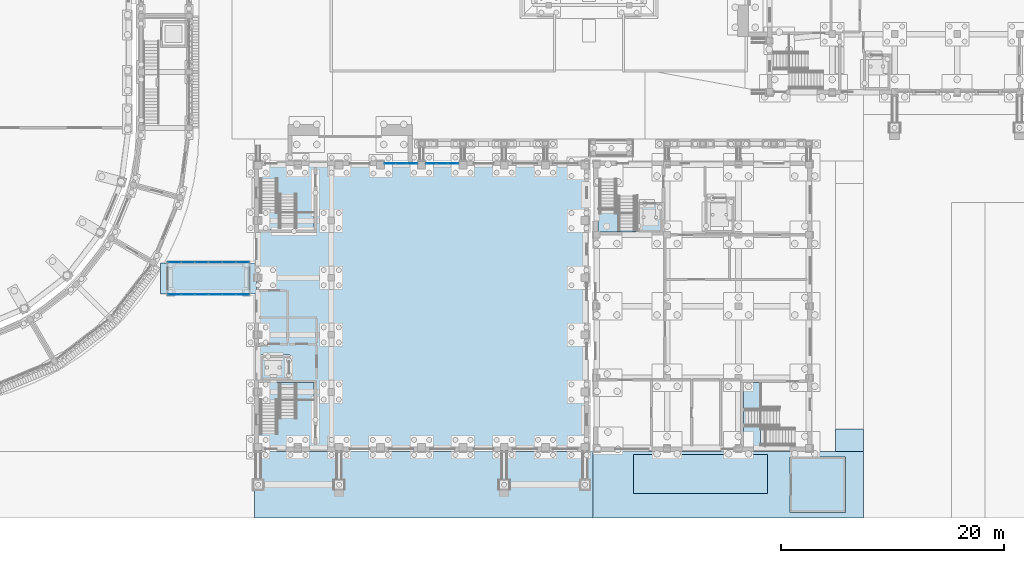
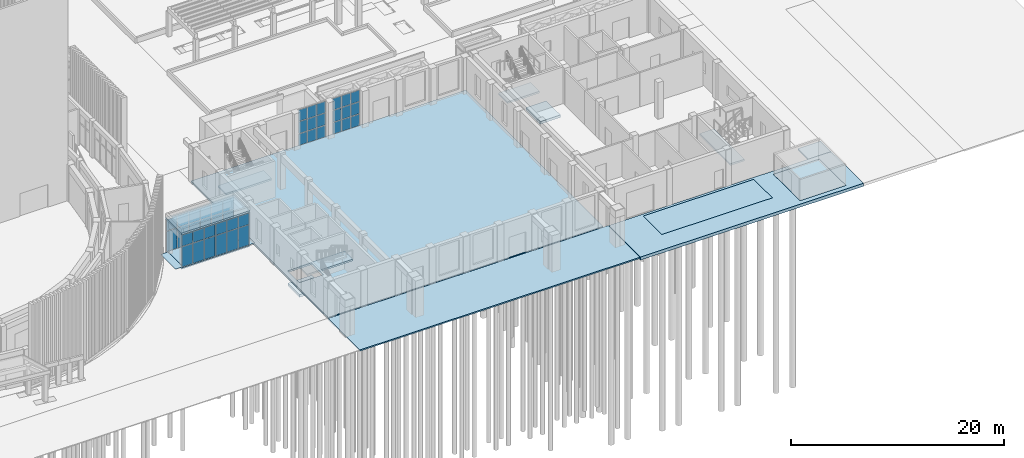
# One storey, part 50 of 112: 44 plates, 14 slabs, 8 elements without a shape of their own.
"""IFC4 building model written with IfcOpenShell, lengths in metres."""

from ifc_helpers import new_model, si_unit, direction, frame, origin, origin_2d, place, context, subcontext, project, spatial, polyline, rectangle, outline, extrude, material, layer, layer_set, type_object, element, aggregate, save


model = new_model("IFC4")

# Units and contexts
model_context = context("Model", 3, precision=1e-05, world=origin(), true_north=direction((0.0, 1.0)))
body_context = subcontext(model_context, "Body", "Model", "MODEL_VIEW")
ifc_project = project(units=[si_unit("LENGTHUNIT", "METRE"), si_unit("AREAUNIT", "SQUARE_METRE"), si_unit("VOLUMEUNIT", "CUBIC_METRE"), si_unit("PLANEANGLEUNIT", "RADIAN"), si_unit("MASSUNIT", "GRAM", prefix="KILO")], contexts=[model_context])

# Site, building, storey
site_placement = place(None, origin())
site = spatial("IfcSite", under=ifc_project, at=site_placement, CompositionType="ELEMENT")
building_placement = place(site_placement, origin())
building = spatial("IfcBuilding", under=site, at=building_placement, Name="Wasatch Bagh Community Centre", CompositionType="ELEMENT")
storey_placement = place(building_placement, origin())
storey = spatial("IfcBuildingStorey", under=building, at=storey_placement, Name="L00", CompositionType="ELEMENT", Elevation=0.0)

# Stair, slab
ifc_material_1 = material(Name="Concrete C35", Category="concrete")
stair_type_1 = type_object("IfcStairType", Name="DH stair 1500", PredefinedType="HALF_TURN_STAIR", material=ifc_material_1)
stair_1_placement = place(storey_placement, origin())
stair_1 = element("IfcStair", 1, at=stair_1_placement, inside=storey, type_object=stair_type_1, Name="ST6 stair", PredefinedType="HALF_TURN_STAIR")
ifc_layer_1 = layer(ifc_material_1, 0.199951171875)
ifc_layer_set_1 = layer_set([ifc_layer_1], Name="Concrete C35")
slab_type_1 = type_object("IfcSlabType", Name="DH landing 200", PredefinedType="LANDING", material=ifc_layer_set_1)
slab_1_placement = place(storey_placement, frame((0.0, 0.0, 1.89990234375)))
slab_1 = element("IfcSlab", 2, at=slab_1_placement, type_object=slab_type_1, Name="ST6 landing 1", PredefinedType="LANDING", context=body_context, shape_type="SweptSolid", body=[
    extrude(outline(polyline([(66.39990234375, 10.610107421875), (66.39990234375, 12.14990234375), (71.35009765625, 12.14990234375), (71.35009765625, 10.610107421875), (66.39990234375, 10.610107421875)])), origin(), (0.0, 0.0, 1.0), 0.2001953125),
])
aggregate(stair_1, [slab_1])

stair_2_placement = place(storey_placement, origin())
stair_2 = element("IfcStair", 3, at=stair_2_placement, inside=storey, type_object=stair_type_1, Name="ST7 stair", PredefinedType="HALF_TURN_STAIR")
slab_2_placement = place(storey_placement, frame((0.0, 0.0, 1.89990234375)))
slab_2 = element("IfcSlab", 4, at=slab_2_placement, type_object=slab_type_1, Name="ST7 landing 1", PredefinedType="LANDING", context=body_context, shape_type="SweptSolid", body=[
    extrude(outline(polyline([(66.39990234375, 27.389892578125), (66.39990234375, 25.85009765625), (71.35009765625, 25.85009765625), (71.35009765625, 27.389892578125), (66.39990234375, 27.389892578125)])), origin(), (0.0, 0.0, 1.0), 0.2001953125),
])
aggregate(stair_2, [slab_2])

# Slab
ifc_layer_2 = layer(ifc_material_1, 0.300048828125)
ifc_layer_set_2 = layer_set([ifc_layer_2], Name="Concrete C35")
slab_type_2 = type_object("IfcSlabType", Name="DH lift pit slab 300", PredefinedType="BASESLAB", material=ifc_layer_set_2)
slab_3_placement = place(storey_placement, frame((0.0, 0.0, -1.699951171875)))
element("IfcSlab", 5, at=slab_3_placement, inside=storey, type_object=slab_type_2, Name="DH.slab.L00.pit.LF4", PredefinedType="BASESLAB", context=body_context, shape_type="SweptSolid", body=[
    extrude(outline(polyline([(66.60009765625, 12.39990234375), (69.199951171875, 12.39990234375), (69.199951171875, 14.60009765625), (66.60009765625, 14.60009765625), (66.60009765625, 12.39990234375)])), origin(), (0.0, 0.0, 1.0), 0.300048828125),
])

# Curtain wall, plates
ifc_material_2 = material(Name="Aluminium alloy 6063-T6", Category="aluminium")
ifc_layer_3 = layer(ifc_material_2, 0.10009765625)
ifc_layer_set_3 = layer_set([ifc_layer_3], Name="Aluminium alloy 6063-T6")
curtain_wall_type_1 = type_object("IfcCurtainWallType", Name="DH-CW1", PredefinedType="NOTDEFINED", material=ifc_layer_set_3)
curtain_wall_1_placement = place(storey_placement, origin())
curtain_wall_1 = element("IfcCurtainWall", 6, at=curtain_wall_1_placement, inside=storey, type_object=curtain_wall_type_1, Name="Curtain wall DH-CW1", PredefinedType="NOTDEFINED")
ifc_material_3 = material(Name="Laminated glass 8+8 mm", Category="glass")
ifc_layer_4 = layer(ifc_material_3, 0.028076171875)
ifc_layer_set_4 = layer_set([ifc_layer_4], Name="Laminated glass 8+8 mm")
plate_type_1 = type_object("IfcPlateType", Name="DH-CW1 panel", PredefinedType="CURTAIN_PANEL", material=ifc_layer_set_4)
plate_1_placement = place(storey_placement, frame((78.1650390625, 31.800048828125, 0.06005859375), z_axis=(0.0, 0.0, 1.0), x_axis=(1.0, 0.0, 0.0)))
plate_1 = element("IfcPlate", 7, at=plate_1_placement, type_object=plate_type_1, Name="DH-CW1 panel 1.1", PredefinedType="CURTAIN_PANEL", context=body_context, shape_type="SweptSolid", body=[
    extrude(rectangle(XDim=0.909912109375, YDim=0.028076171875, at=origin_2d()), origin(), (0.0, 0.0, 1.0), 1.31005859375),
])
plate_2_placement = place(storey_placement, frame((78.1650390625, 31.800048828125, 1.43017578125), z_axis=(0.0, 0.0, 1.0), x_axis=(1.0, 0.0, 0.0)))
plate_2 = element("IfcPlate", 8, at=plate_2_placement, type_object=plate_type_1, Name="DH-CW1 panel 1.2", PredefinedType="CURTAIN_PANEL", context=body_context, shape_type="SweptSolid", body=[
    extrude(rectangle(XDim=0.909912109375, YDim=0.028076171875, at=origin_2d()), origin(), (0.0, 0.0, 1.0), 1.340087890625),
])
plate_3_placement = place(storey_placement, frame((78.1650390625, 31.800048828125, 2.830078125), z_axis=(0.0, 0.0, 1.0), x_axis=(1.0, 0.0, 0.0)))
plate_3 = element("IfcPlate", 9, at=plate_3_placement, type_object=plate_type_1, Name="DH-CW1 panel 1.3", PredefinedType="CURTAIN_PANEL", context=body_context, shape_type="SweptSolid", body=[
    extrude(rectangle(XDim=0.909912109375, YDim=0.028076171875, at=origin_2d()), origin(), (0.0, 0.0, 1.0), 1.31005859375),
])
plate_4_placement = place(storey_placement, frame((79.14990234375, 31.800048828125, 0.06005859375), z_axis=(0.0, 0.0, 1.0), x_axis=(1.0, 0.0, 0.0)))
plate_4 = element("IfcPlate", 10, at=plate_4_placement, type_object=plate_type_1, Name="DH-CW1 panel 2.1", PredefinedType="CURTAIN_PANEL", context=body_context, shape_type="SweptSolid", body=[
    extrude(rectangle(XDim=0.93994140625, YDim=0.028076171875, at=origin_2d()), origin(), (0.0, 0.0, 1.0), 1.31005859375),
])
plate_5_placement = place(storey_placement, frame((79.14990234375, 31.800048828125, 1.43017578125), z_axis=(0.0, 0.0, 1.0), x_axis=(1.0, 0.0, 0.0)))
plate_5 = element("IfcPlate", 11, at=plate_5_placement, type_object=plate_type_1, Name="DH-CW1 panel 2.2", PredefinedType="CURTAIN_PANEL", context=body_context, shape_type="SweptSolid", body=[
    extrude(rectangle(XDim=0.93994140625, YDim=0.028076171875, at=origin_2d()), origin(), (0.0, 0.0, 1.0), 1.340087890625),
])
plate_6_placement = place(storey_placement, frame((79.14990234375, 31.800048828125, 2.830078125), z_axis=(0.0, 0.0, 1.0), x_axis=(1.0, 0.0, 0.0)))
plate_6 = element("IfcPlate", 12, at=plate_6_placement, type_object=plate_type_1, Name="DH-CW1 panel 2.3", PredefinedType="CURTAIN_PANEL", context=body_context, shape_type="SweptSolid", body=[
    extrude(rectangle(XDim=0.93994140625, YDim=0.028076171875, at=origin_2d()), origin(), (0.0, 0.0, 1.0), 1.31005859375),
])
plate_7_placement = place(storey_placement, frame((80.135009765625, 31.800048828125, 0.06005859375), z_axis=(0.0, 0.0, 1.0), x_axis=(1.0, 0.0, 0.0)))
plate_7 = element("IfcPlate", 13, at=plate_7_placement, type_object=plate_type_1, Name="DH-CW1 panel 3.1", PredefinedType="CURTAIN_PANEL", context=body_context, shape_type="SweptSolid", body=[
    extrude(rectangle(XDim=0.909912109375, YDim=0.028076171875, at=origin_2d()), origin(), (0.0, 0.0, 1.0), 1.31005859375),
])
plate_8_placement = place(storey_placement, frame((80.135009765625, 31.800048828125, 1.43017578125), z_axis=(0.0, 0.0, 1.0), x_axis=(1.0, 0.0, 0.0)))
plate_8 = element("IfcPlate", 14, at=plate_8_placement, type_object=plate_type_1, Name="DH-CW1 panel 3.2", PredefinedType="CURTAIN_PANEL", context=body_context, shape_type="SweptSolid", body=[
    extrude(rectangle(XDim=0.909912109375, YDim=0.028076171875, at=origin_2d()), origin(), (0.0, 0.0, 1.0), 1.340087890625),
])
plate_9_placement = place(storey_placement, frame((80.135009765625, 31.800048828125, 2.830078125), z_axis=(0.0, 0.0, 1.0), x_axis=(1.0, 0.0, 0.0)))
plate_9 = element("IfcPlate", 15, at=plate_9_placement, type_object=plate_type_1, Name="DH-CW1 panel 3.3", PredefinedType="CURTAIN_PANEL", context=body_context, shape_type="SweptSolid", body=[
    extrude(rectangle(XDim=0.909912109375, YDim=0.028076171875, at=origin_2d()), origin(), (0.0, 0.0, 1.0), 1.31005859375),
])
aggregate(curtain_wall_1, [plate_1, plate_2, plate_3, plate_4, plate_5, plate_6, plate_7, plate_8, plate_9])

curtain_wall_2_placement = place(storey_placement, origin())
curtain_wall_2 = element("IfcCurtainWall", 16, at=curtain_wall_2_placement, inside=storey, type_object=curtain_wall_type_1, Name="Curtain wall DH-CW1", PredefinedType="NOTDEFINED")
plate_10_placement = place(storey_placement, frame((81.864990234375, 31.800048828125, 0.06005859375), z_axis=(0.0, 0.0, 1.0), x_axis=(1.0, 0.0, 0.0)))
plate_10 = element("IfcPlate", 17, at=plate_10_placement, type_object=plate_type_1, Name="DH-CW1 panel 1.1", PredefinedType="CURTAIN_PANEL", context=body_context, shape_type="SweptSolid", body=[
    extrude(rectangle(XDim=0.909912109375, YDim=0.028076171875, at=origin_2d()), origin(), (0.0, 0.0, 1.0), 1.31005859375),
])
plate_11_placement = place(storey_placement, frame((81.864990234375, 31.800048828125, 1.43017578125), z_axis=(0.0, 0.0, 1.0), x_axis=(1.0, 0.0, 0.0)))
plate_11 = element("IfcPlate", 18, at=plate_11_placement, type_object=plate_type_1, Name="DH-CW1 panel 1.2", PredefinedType="CURTAIN_PANEL", context=body_context, shape_type="SweptSolid", body=[
    extrude(rectangle(XDim=0.909912109375, YDim=0.028076171875, at=origin_2d()), origin(), (0.0, 0.0, 1.0), 1.340087890625),
])
plate_12_placement = place(storey_placement, frame((81.864990234375, 31.800048828125, 2.830078125), z_axis=(0.0, 0.0, 1.0), x_axis=(1.0, 0.0, 0.0)))
plate_12 = element("IfcPlate", 19, at=plate_12_placement, type_object=plate_type_1, Name="DH-CW1 panel 1.3", PredefinedType="CURTAIN_PANEL", context=body_context, shape_type="SweptSolid", body=[
    extrude(rectangle(XDim=0.909912109375, YDim=0.028076171875, at=origin_2d()), origin(), (0.0, 0.0, 1.0), 1.31005859375),
])
plate_13_placement = place(storey_placement, frame((82.85009765625, 31.800048828125, 0.06005859375), z_axis=(0.0, 0.0, 1.0), x_axis=(1.0, 0.0, 0.0)))
plate_13 = element("IfcPlate", 20, at=plate_13_placement, type_object=plate_type_1, Name="DH-CW1 panel 2.1", PredefinedType="CURTAIN_PANEL", context=body_context, shape_type="SweptSolid", body=[
    extrude(rectangle(XDim=0.93994140625, YDim=0.028076171875, at=origin_2d()), origin(), (0.0, 0.0, 1.0), 1.31005859375),
])
plate_14_placement = place(storey_placement, frame((82.85009765625, 31.800048828125, 1.43017578125), z_axis=(0.0, 0.0, 1.0), x_axis=(1.0, 0.0, 0.0)))
plate_14 = element("IfcPlate", 21, at=plate_14_placement, type_object=plate_type_1, Name="DH-CW1 panel 2.2", PredefinedType="CURTAIN_PANEL", context=body_context, shape_type="SweptSolid", body=[
    extrude(rectangle(XDim=0.93994140625, YDim=0.028076171875, at=origin_2d()), origin(), (0.0, 0.0, 1.0), 1.340087890625),
])
plate_15_placement = place(storey_placement, frame((82.85009765625, 31.800048828125, 2.830078125), z_axis=(0.0, 0.0, 1.0), x_axis=(1.0, 0.0, 0.0)))
plate_15 = element("IfcPlate", 22, at=plate_15_placement, type_object=plate_type_1, Name="DH-CW1 panel 2.3", PredefinedType="CURTAIN_PANEL", context=body_context, shape_type="SweptSolid", body=[
    extrude(rectangle(XDim=0.93994140625, YDim=0.028076171875, at=origin_2d()), origin(), (0.0, 0.0, 1.0), 1.31005859375),
])
plate_16_placement = place(storey_placement, frame((83.8349609375, 31.800048828125, 0.06005859375), z_axis=(0.0, 0.0, 1.0), x_axis=(1.0, 0.0, 0.0)))
plate_16 = element("IfcPlate", 23, at=plate_16_placement, type_object=plate_type_1, Name="DH-CW1 panel 3.1", PredefinedType="CURTAIN_PANEL", context=body_context, shape_type="SweptSolid", body=[
    extrude(rectangle(XDim=0.909912109375, YDim=0.028076171875, at=origin_2d()), origin(), (0.0, 0.0, 1.0), 1.31005859375),
])
plate_17_placement = place(storey_placement, frame((83.8349609375, 31.800048828125, 1.43017578125), z_axis=(0.0, 0.0, 1.0), x_axis=(1.0, 0.0, 0.0)))
plate_17 = element("IfcPlate", 24, at=plate_17_placement, type_object=plate_type_1, Name="DH-CW1 panel 3.2", PredefinedType="CURTAIN_PANEL", context=body_context, shape_type="SweptSolid", body=[
    extrude(rectangle(XDim=0.909912109375, YDim=0.028076171875, at=origin_2d()), origin(), (0.0, 0.0, 1.0), 1.340087890625),
])
plate_18_placement = place(storey_placement, frame((83.8349609375, 31.800048828125, 2.830078125), z_axis=(0.0, 0.0, 1.0), x_axis=(1.0, 0.0, 0.0)))
plate_18 = element("IfcPlate", 25, at=plate_18_placement, type_object=plate_type_1, Name="DH-CW1 panel 3.3", PredefinedType="CURTAIN_PANEL", context=body_context, shape_type="SweptSolid", body=[
    extrude(rectangle(XDim=0.909912109375, YDim=0.028076171875, at=origin_2d()), origin(), (0.0, 0.0, 1.0), 1.31005859375),
])
aggregate(curtain_wall_2, [plate_10, plate_11, plate_12, plate_13, plate_14, plate_15, plate_16, plate_17, plate_18])

# Slab
ifc_material_4 = material(Name="Concrete C30", Category="concrete")
ifc_layer_5 = layer(ifc_material_4, 0.199951171875)
ifc_layer_set_5 = layer_set([ifc_layer_5], Name="Concrete C30")
slab_type_3 = type_object("IfcSlabType", Name="FD-SG-DH", PredefinedType="BASESLAB", material=ifc_layer_set_5)
slab_4_placement = place(storey_placement, frame((0.0, 0.0, -0.199951171875)))
element("IfcSlab", 26, at=slab_4_placement, inside=storey, type_object=slab_type_3, Name="Slab on grade DH", PredefinedType="BASESLAB", context=body_context, shape_type="SweptSolid", body=[
    extrude(outline(polyline([(66.10009765625, 6.10009765625), (66.10009765625, 31.89990234375), (95.89990234375, 31.89990234375), (95.89990234375, 6.10009765625), (66.10009765625, 6.10009765625)]), holes=[polyline([(66.59912109375, 12.389892578125), (69.199951171875, 12.389892578125), (69.2099609375, 12.39990234375), (69.2099609375, 14.60009765625), (69.199951171875, 14.610107421875), (66.60009765625, 14.610107421875), (66.590087890625, 14.60009765625), (66.590087890625, 12.39990234375), (66.59912109375, 12.389892578125)])]), origin(), (0.0, 0.0, 1.0), 0.199951171875),
])

# Stair, slab
stair_type_2 = type_object("IfcStairType", Name="KW stair 1500", PredefinedType="HALF_TURN_STAIR", material=ifc_material_1)
stair_3_placement = place(storey_placement, origin())
stair_3 = element("IfcStair", 27, at=stair_3_placement, inside=storey, type_object=stair_type_2, Name="ST4 stair", PredefinedType="HALF_TURN_STAIR")
ifc_layer_6 = layer(ifc_material_1, 0.199951171875)
ifc_layer_set_6 = layer_set([ifc_layer_6], Name="Concrete C35")
slab_type_4 = type_object("IfcSlabType", Name="KW landing 200", PredefinedType="LANDING", material=ifc_layer_set_6)
slab_5_placement = place(storey_placement, frame((0.0, 0.0, 1.89990234375)))
slab_5 = element("IfcSlab", 28, at=slab_5_placement, type_object=slab_type_4, Name="ST4 landing 1", PredefinedType="LANDING", context=body_context, shape_type="SweptSolid", body=[
    extrude(outline(polyline([(96.800048828125, 27.340087890625), (96.800048828125, 25.64990234375), (100.300048828125, 25.64990234375), (100.300048828125, 27.340087890625), (96.800048828125, 27.340087890625)])), origin(), (0.0, 0.0, 1.0), 0.2001953125),
])
aggregate(stair_3, [slab_5])

stair_4_placement = place(storey_placement, origin())
stair_4 = element("IfcStair", 29, at=stair_4_placement, inside=storey, type_object=stair_type_2, Name="ST5 stair", PredefinedType="HALF_TURN_STAIR")
slab_6_placement = place(storey_placement, frame((0.0, 0.0, 1.89990234375)))
slab_6 = element("IfcSlab", 30, at=slab_6_placement, type_object=slab_type_4, Name="ST5 landing 1", PredefinedType="LANDING", context=body_context, shape_type="SweptSolid", body=[
    extrude(outline(polyline([(111.389892578125, 6.39990234375), (109.85009765625, 6.39990234375), (109.85009765625, 12.14990234375), (111.389892578125, 12.14990234375), (111.389892578125, 6.39990234375)])), origin(), (0.0, 0.0, 1.0), 0.2001953125),
])
aggregate(stair_4, [slab_6])

# Slab
ifc_layer_7 = layer(ifc_material_1, 0.300048828125)
ifc_layer_set_7 = layer_set([ifc_layer_7], Name="Concrete C35")
slab_type_5 = type_object("IfcSlabType", Name="KW lift pit slab 300", PredefinedType="BASESLAB", material=ifc_layer_set_7)
slab_7_placement = place(storey_placement, frame((0.0, 0.0, -1.699951171875)))
element("IfcSlab", 31, at=slab_7_placement, inside=storey, type_object=slab_type_5, Name="KW.slab.L00.pit.LF2", PredefinedType="BASESLAB", context=body_context, shape_type="SweptSolid", body=[
    extrude(outline(polyline([(100.35009765625, 25.64990234375), (102.550048828125, 25.64990234375), (102.550048828125, 28.300048828125), (100.35009765625, 28.300048828125), (100.35009765625, 25.64990234375)])), origin(), (0.0, 0.0, 1.0), 0.300048828125),
])

# Curtain wall, plates
ifc_material_5 = material(Name="Aluminium curtain wall frame with low-iron insulated glass", Category="aluminium")
ifc_layer_8 = layer(ifc_material_5, 0.10009765625)
ifc_layer_set_8 = layer_set([ifc_layer_8], Name="Aluminium curtain wall frame with low-iron insulated glass")
curtain_wall_type_2 = type_object("IfcCurtainWallType", Name="PA curtain wall PA-CW2", PredefinedType="NOTDEFINED", material=ifc_layer_set_8)
curtain_wall_3_placement = place(storey_placement, origin())
curtain_wall_3 = element("IfcCurtainWall", 32, at=curtain_wall_3_placement, inside=storey, type_object=curtain_wall_type_2, Name="Curtain wall PA-CW2 PA2.1", PredefinedType="NOTDEFINED")
ifc_material_6 = material(Name="Low-iron insulated glass", Category="glass")
ifc_layer_9 = layer(ifc_material_6, 0.02392578125)
ifc_layer_set_9 = layer_set([ifc_layer_9], Name="Low-iron insulated glass")
plate_type_2 = type_object("IfcPlateType", Name="PA glass panel PA-CW2", PredefinedType="CURTAIN_PANEL", material=ifc_layer_set_9)
plate_19_placement = place(storey_placement, frame((58.848388671875, 20.049072265625, 0.06005859375), z_axis=(0.0, 0.0, 1.0), x_axis=(1.0, 0.0, 0.0)))
plate_19 = element("IfcPlate", 33, at=plate_19_placement, type_object=plate_type_2, Name="PA-CW2 panel 1.1", PredefinedType="CURTAIN_PANEL", context=body_context, shape_type="SweptSolid", body=[
    extrude(rectangle(XDim=1.13671875, YDim=0.028076171875, at=origin_2d()), origin(), (0.0, 0.0, 1.0), 2.31005859375),
])
plate_20_placement = place(storey_placement, frame((58.848388671875, 20.049072265625, 2.43017578125), z_axis=(0.0, 0.0, 1.0), x_axis=(1.0, 0.0, 0.0)))
plate_20 = element("IfcPlate", 34, at=plate_20_placement, type_object=plate_type_2, Name="PA-CW2 panel 1.2", PredefinedType="CURTAIN_PANEL", context=body_context, shape_type="SweptSolid", body=[
    extrude(rectangle(XDim=1.13671875, YDim=0.028076171875, at=origin_2d()), origin(), (0.0, 0.0, 1.0), 1.280029296875),
])
plate_21_placement = place(storey_placement, frame((60.06005859375, 20.049072265625, 0.06005859375), z_axis=(0.0, 0.0, 1.0), x_axis=(1.0, 0.0, 0.0)))
plate_21 = element("IfcPlate", 35, at=plate_21_placement, type_object=plate_type_2, Name="PA-CW2 panel 2.1", PredefinedType="CURTAIN_PANEL", context=body_context, shape_type="SweptSolid", body=[
    extrude(rectangle(XDim=1.166748046875, YDim=0.028076171875, at=origin_2d()), origin(), (0.0, 0.0, 1.0), 2.31005859375),
])
plate_22_placement = place(storey_placement, frame((60.06005859375, 20.049072265625, 2.43017578125), z_axis=(0.0, 0.0, 1.0), x_axis=(1.0, 0.0, 0.0)))
plate_22 = element("IfcPlate", 36, at=plate_22_placement, type_object=plate_type_2, Name="PA-CW2 panel 2.2", PredefinedType="CURTAIN_PANEL", context=body_context, shape_type="SweptSolid", body=[
    extrude(rectangle(XDim=1.166748046875, YDim=0.028076171875, at=origin_2d()), origin(), (0.0, 0.0, 1.0), 1.280029296875),
])
plate_23_placement = place(storey_placement, frame((61.28662109375, 20.049072265625, 0.06005859375), z_axis=(0.0, 0.0, 1.0), x_axis=(1.0, 0.0, 0.0)))
plate_23 = element("IfcPlate", 37, at=plate_23_placement, type_object=plate_type_2, Name="PA-CW2 panel 3.1", PredefinedType="CURTAIN_PANEL", context=body_context, shape_type="SweptSolid", body=[
    extrude(rectangle(XDim=1.166748046875, YDim=0.028076171875, at=origin_2d()), origin(), (0.0, 0.0, 1.0), 2.31005859375),
])
plate_24_placement = place(storey_placement, frame((61.28662109375, 20.049072265625, 2.43017578125), z_axis=(0.0, 0.0, 1.0), x_axis=(1.0, 0.0, 0.0)))
plate_24 = element("IfcPlate", 38, at=plate_24_placement, type_object=plate_type_2, Name="PA-CW2 panel 3.2", PredefinedType="CURTAIN_PANEL", context=body_context, shape_type="SweptSolid", body=[
    extrude(rectangle(XDim=1.166748046875, YDim=0.028076171875, at=origin_2d()), origin(), (0.0, 0.0, 1.0), 1.280029296875),
])
plate_25_placement = place(storey_placement, frame((62.513427734375, 20.049072265625, 0.06005859375), z_axis=(0.0, 0.0, 1.0), x_axis=(1.0, 0.0, 0.0)))
plate_25 = element("IfcPlate", 39, at=plate_25_placement, type_object=plate_type_2, Name="PA-CW2 panel 4.1", PredefinedType="CURTAIN_PANEL", context=body_context, shape_type="SweptSolid", body=[
    extrude(rectangle(XDim=1.166748046875, YDim=0.028076171875, at=origin_2d()), origin(), (0.0, 0.0, 1.0), 2.31005859375),
])
plate_26_placement = place(storey_placement, frame((62.513427734375, 20.049072265625, 2.43017578125), z_axis=(0.0, 0.0, 1.0), x_axis=(1.0, 0.0, 0.0)))
plate_26 = element("IfcPlate", 40, at=plate_26_placement, type_object=plate_type_2, Name="PA-CW2 panel 4.2", PredefinedType="CURTAIN_PANEL", context=body_context, shape_type="SweptSolid", body=[
    extrude(rectangle(XDim=1.166748046875, YDim=0.028076171875, at=origin_2d()), origin(), (0.0, 0.0, 1.0), 1.280029296875),
])
plate_27_placement = place(storey_placement, frame((63.739990234375, 20.049072265625, 0.06005859375), z_axis=(0.0, 0.0, 1.0), x_axis=(1.0, 0.0, 0.0)))
plate_27 = element("IfcPlate", 41, at=plate_27_placement, type_object=plate_type_2, Name="PA-CW2 panel 5.1", PredefinedType="CURTAIN_PANEL", context=body_context, shape_type="SweptSolid", body=[
    extrude(rectangle(XDim=1.166748046875, YDim=0.028076171875, at=origin_2d()), origin(), (0.0, 0.0, 1.0), 2.31005859375),
])
plate_28_placement = place(storey_placement, frame((63.739990234375, 20.049072265625, 2.43017578125), z_axis=(0.0, 0.0, 1.0), x_axis=(1.0, 0.0, 0.0)))
plate_28 = element("IfcPlate", 42, at=plate_28_placement, type_object=plate_type_2, Name="PA-CW2 panel 5.2", PredefinedType="CURTAIN_PANEL", context=body_context, shape_type="SweptSolid", body=[
    extrude(rectangle(XDim=1.166748046875, YDim=0.028076171875, at=origin_2d()), origin(), (0.0, 0.0, 1.0), 1.280029296875),
])
plate_29_placement = place(storey_placement, frame((64.95166015625, 20.049072265625, 0.06005859375), z_axis=(0.0, 0.0, 1.0), x_axis=(1.0, 0.0, 0.0)))
plate_29 = element("IfcPlate", 43, at=plate_29_placement, type_object=plate_type_2, Name="PA-CW2 panel 6.1", PredefinedType="CURTAIN_PANEL", context=body_context, shape_type="SweptSolid", body=[
    extrude(rectangle(XDim=1.13671875, YDim=0.028076171875, at=origin_2d()), origin(), (0.0, 0.0, 1.0), 2.31005859375),
])
plate_30_placement = place(storey_placement, frame((64.95166015625, 20.049072265625, 2.43017578125), z_axis=(0.0, 0.0, 1.0), x_axis=(1.0, 0.0, 0.0)))
plate_30 = element("IfcPlate", 44, at=plate_30_placement, type_object=plate_type_2, Name="PA-CW2 panel 6.2", PredefinedType="CURTAIN_PANEL", context=body_context, shape_type="SweptSolid", body=[
    extrude(rectangle(XDim=1.13671875, YDim=0.028076171875, at=origin_2d()), origin(), (0.0, 0.0, 1.0), 1.280029296875),
])
aggregate(curtain_wall_3, [plate_19, plate_20, plate_21, plate_22, plate_23, plate_24, plate_25, plate_26, plate_27, plate_28, plate_29, plate_30])

curtain_wall_4_placement = place(storey_placement, origin())
curtain_wall_4 = element("IfcCurtainWall", 45, at=curtain_wall_4_placement, inside=storey, type_object=curtain_wall_type_2, Name="Curtain wall PA-CW2 PA2.2", PredefinedType="NOTDEFINED")
plate_31_placement = place(storey_placement, frame((58.848388671875, 22.950927734375, 0.06005859375), z_axis=(0.0, 0.0, 1.0), x_axis=(1.0, 0.0, 0.0)))
plate_31 = element("IfcPlate", 46, at=plate_31_placement, type_object=plate_type_2, Name="PA-CW2 panel 1.1", PredefinedType="CURTAIN_PANEL", context=body_context, shape_type="SweptSolid", body=[
    extrude(rectangle(XDim=1.13671875, YDim=0.028076171875, at=origin_2d()), origin(), (0.0, 0.0, 1.0), 2.31005859375),
])
plate_32_placement = place(storey_placement, frame((58.848388671875, 22.950927734375, 2.43017578125), z_axis=(0.0, 0.0, 1.0), x_axis=(1.0, 0.0, 0.0)))
plate_32 = element("IfcPlate", 47, at=plate_32_placement, type_object=plate_type_2, Name="PA-CW2 panel 1.2", PredefinedType="CURTAIN_PANEL", context=body_context, shape_type="SweptSolid", body=[
    extrude(rectangle(XDim=1.13671875, YDim=0.028076171875, at=origin_2d()), origin(), (0.0, 0.0, 1.0), 1.280029296875),
])
plate_33_placement = place(storey_placement, frame((60.06005859375, 22.950927734375, 0.06005859375), z_axis=(0.0, 0.0, 1.0), x_axis=(1.0, 0.0, 0.0)))
plate_33 = element("IfcPlate", 48, at=plate_33_placement, type_object=plate_type_2, Name="PA-CW2 panel 2.1", PredefinedType="CURTAIN_PANEL", context=body_context, shape_type="SweptSolid", body=[
    extrude(rectangle(XDim=1.166748046875, YDim=0.028076171875, at=origin_2d()), origin(), (0.0, 0.0, 1.0), 2.31005859375),
])
plate_34_placement = place(storey_placement, frame((60.06005859375, 22.950927734375, 2.43017578125), z_axis=(0.0, 0.0, 1.0), x_axis=(1.0, 0.0, 0.0)))
plate_34 = element("IfcPlate", 49, at=plate_34_placement, type_object=plate_type_2, Name="PA-CW2 panel 2.2", PredefinedType="CURTAIN_PANEL", context=body_context, shape_type="SweptSolid", body=[
    extrude(rectangle(XDim=1.166748046875, YDim=0.028076171875, at=origin_2d()), origin(), (0.0, 0.0, 1.0), 1.280029296875),
])
plate_35_placement = place(storey_placement, frame((61.28662109375, 22.950927734375, 0.06005859375), z_axis=(0.0, 0.0, 1.0), x_axis=(1.0, 0.0, 0.0)))
plate_35 = element("IfcPlate", 50, at=plate_35_placement, type_object=plate_type_2, Name="PA-CW2 panel 3.1", PredefinedType="CURTAIN_PANEL", context=body_context, shape_type="SweptSolid", body=[
    extrude(rectangle(XDim=1.166748046875, YDim=0.028076171875, at=origin_2d()), origin(), (0.0, 0.0, 1.0), 2.31005859375),
])
plate_36_placement = place(storey_placement, frame((61.28662109375, 22.950927734375, 2.43017578125), z_axis=(0.0, 0.0, 1.0), x_axis=(1.0, 0.0, 0.0)))
plate_36 = element("IfcPlate", 51, at=plate_36_placement, type_object=plate_type_2, Name="PA-CW2 panel 3.2", PredefinedType="CURTAIN_PANEL", context=body_context, shape_type="SweptSolid", body=[
    extrude(rectangle(XDim=1.166748046875, YDim=0.028076171875, at=origin_2d()), origin(), (0.0, 0.0, 1.0), 1.280029296875),
])
plate_37_placement = place(storey_placement, frame((62.513427734375, 22.950927734375, 0.06005859375), z_axis=(0.0, 0.0, 1.0), x_axis=(1.0, 0.0, 0.0)))
plate_37 = element("IfcPlate", 52, at=plate_37_placement, type_object=plate_type_2, Name="PA-CW2 panel 4.1", PredefinedType="CURTAIN_PANEL", context=body_context, shape_type="SweptSolid", body=[
    extrude(rectangle(XDim=1.166748046875, YDim=0.028076171875, at=origin_2d()), origin(), (0.0, 0.0, 1.0), 2.31005859375),
])
plate_38_placement = place(storey_placement, frame((62.513427734375, 22.950927734375, 2.43017578125), z_axis=(0.0, 0.0, 1.0), x_axis=(1.0, 0.0, 0.0)))
plate_38 = element("IfcPlate", 53, at=plate_38_placement, type_object=plate_type_2, Name="PA-CW2 panel 4.2", PredefinedType="CURTAIN_PANEL", context=body_context, shape_type="SweptSolid", body=[
    extrude(rectangle(XDim=1.166748046875, YDim=0.028076171875, at=origin_2d()), origin(), (0.0, 0.0, 1.0), 1.280029296875),
])
plate_39_placement = place(storey_placement, frame((63.739990234375, 22.950927734375, 0.06005859375), z_axis=(0.0, 0.0, 1.0), x_axis=(1.0, 0.0, 0.0)))
plate_39 = element("IfcPlate", 54, at=plate_39_placement, type_object=plate_type_2, Name="PA-CW2 panel 5.1", PredefinedType="CURTAIN_PANEL", context=body_context, shape_type="SweptSolid", body=[
    extrude(rectangle(XDim=1.166748046875, YDim=0.028076171875, at=origin_2d()), origin(), (0.0, 0.0, 1.0), 2.31005859375),
])
plate_40_placement = place(storey_placement, frame((63.739990234375, 22.950927734375, 2.43017578125), z_axis=(0.0, 0.0, 1.0), x_axis=(1.0, 0.0, 0.0)))
plate_40 = element("IfcPlate", 55, at=plate_40_placement, type_object=plate_type_2, Name="PA-CW2 panel 5.2", PredefinedType="CURTAIN_PANEL", context=body_context, shape_type="SweptSolid", body=[
    extrude(rectangle(XDim=1.166748046875, YDim=0.028076171875, at=origin_2d()), origin(), (0.0, 0.0, 1.0), 1.280029296875),
])
plate_41_placement = place(storey_placement, frame((64.95166015625, 22.950927734375, 0.06005859375), z_axis=(0.0, 0.0, 1.0), x_axis=(1.0, 0.0, 0.0)))
plate_41 = element("IfcPlate", 56, at=plate_41_placement, type_object=plate_type_2, Name="PA-CW2 panel 6.1", PredefinedType="CURTAIN_PANEL", context=body_context, shape_type="SweptSolid", body=[
    extrude(rectangle(XDim=1.13671875, YDim=0.028076171875, at=origin_2d()), origin(), (0.0, 0.0, 1.0), 2.31005859375),
])
plate_42_placement = place(storey_placement, frame((64.95166015625, 22.950927734375, 2.43017578125), z_axis=(0.0, 0.0, 1.0), x_axis=(1.0, 0.0, 0.0)))
plate_42 = element("IfcPlate", 57, at=plate_42_placement, type_object=plate_type_2, Name="PA-CW2 panel 6.2", PredefinedType="CURTAIN_PANEL", context=body_context, shape_type="SweptSolid", body=[
    extrude(rectangle(XDim=1.13671875, YDim=0.028076171875, at=origin_2d()), origin(), (0.0, 0.0, 1.0), 1.280029296875),
])
aggregate(curtain_wall_4, [plate_31, plate_32, plate_33, plate_34, plate_35, plate_36, plate_37, plate_38, plate_39, plate_40, plate_41, plate_42])

# Plates
ifc_material_7 = material(Name="Aluminium chequer plate", Category="aluminium")
ifc_layer_10 = layer(ifc_material_7, 0.01611328125)
ifc_layer_set_10 = layer_set([ifc_layer_10], Name="Aluminium chequer plate")
plate_type_3 = type_object("IfcPlateType", Name="PA-J2", PredefinedType="SHEET", material=ifc_layer_set_10)
for number, where, z_axis, x_axis, name in (
    (58, (58.0, 21.5, 0.0), (0.0, 0.0, 1.0), (1.0, 0.0, 0.0), "joint cover plate PA2.1"),
    (59, (65.800048828125, 21.5, 0.0), (0.0, 0.0, 1.0), (1.0, 0.0, 0.0), "joint cover plate PA2.2"),
):
    element("IfcPlate", number, at=place(storey_placement, frame(where, z_axis=z_axis, x_axis=x_axis)), inside=storey, type_object=plate_type_3, Name=name, PredefinedType="SHEET", context=body_context, shape_type="SweptSolid", body=[
        extrude(rectangle(XDim=0.800048828125, YDim=2.800048828125, at=origin_2d()), origin(), (0.0, 0.0, 1.0), 0.01611328125),
    ])

# Slabs
ifc_layer_11 = layer(ifc_material_4, 0.14990234375)
ifc_layer_set_11 = layer_set([ifc_layer_11], Name="Concrete C30")
slab_type_6 = type_object("IfcSlabType", Name="PA-S2 on grade", PredefinedType="BASESLAB", material=ifc_layer_set_11)
slab_8_placement = place(storey_placement, frame((0.0, 0.0, -0.14990234375)))
element("IfcSlab", 60, at=slab_8_placement, inside=storey, type_object=slab_type_6, Name="PA2 floor", PredefinedType="BASESLAB", context=body_context, shape_type="SweptSolid", body=[
    extrude(outline(polyline([(58.199951171875, 20.0), (65.60009765625, 20.0), (65.60009765625, 23.0), (58.199951171875, 23.0), (58.199951171875, 20.0)])), origin(), (0.0, 0.0, 1.0), 0.14990234375),
])
ifc_layer_12 = layer(ifc_material_1, 0.219970703125)
ifc_layer_set_12 = layer_set([ifc_layer_12], Name="Concrete C35")
slab_type_7 = type_object("IfcSlabType", Name="PA-S5", PredefinedType="ROOF", material=ifc_layer_set_12)
slab_9_placement = place(storey_placement, frame((0.0, 0.0, 3.780029296875)))
element("IfcSlab", 61, at=slab_9_placement, inside=storey, type_object=slab_type_7, Name="PA2 roof slab", PredefinedType="ROOF", context=body_context, shape_type="SweptSolid", body=[
    extrude(outline(polyline([(58.199951171875, 20.0), (65.60009765625, 20.0), (65.60009765625, 23.0), (58.199951171875, 23.0), (58.199951171875, 20.0)])), origin(), (0.0, 0.0, 1.0), 0.219970703125),
])
ifc_layer_13 = layer(ifc_material_1, 0.419921875)
ifc_layer_set_13 = layer_set([ifc_layer_13], Name="Concrete C35")
slab_type_8 = type_object("IfcSlabType", Name="SITE-P15", PredefinedType="FLOOR", material=ifc_layer_set_13)
slab_10_placement = place(storey_placement, frame((0.0, 0.0, -0.419921875)))
element("IfcSlab", 62, at=slab_10_placement, inside=storey, type_object=slab_type_8, Name="Paving - Loading apron", PredefinedType="FLOOR", context=body_context, shape_type="SweptSolid", body=[
    extrude(outline(polyline([(100.0, 5.699951171875), (112.0, 5.699951171875), (112.0, 2.199951171875), (100.0, 2.199951171875), (100.0, 5.699951171875)])), origin(), (0.0, 0.0, 1.0), 0.419921875),
])
ifc_material_8 = material(Name="Sandstone paving on Concrete C30 base", Category="masonry")
ifc_layer_14 = layer(ifc_material_8, 0.14990234375)
ifc_layer_set_14 = layer_set([ifc_layer_14], Name="Sandstone paving on Concrete C30 base")
slab_type_9 = type_object("IfcSlabType", Name="SITE-P2", PredefinedType="FLOOR", material=ifc_layer_set_14)
slab_11_placement = place(storey_placement, frame((0.0, 0.0, -0.14990234375)))
element("IfcSlab", 63, at=slab_11_placement, inside=storey, type_object=slab_type_9, Name="Paving - Lay-by link", PredefinedType="FLOOR", context=body_context, shape_type="SweptSolid", body=[
    extrude(outline(polyline([(118.10009765625, 8.0), (120.60009765625, 8.0), (120.60009765625, 6.0), (118.10009765625, 6.0), (118.10009765625, 8.0)])), origin(), (0.0, 0.0, 1.0), 0.14990234375),
])
ifc_layer_15 = layer(ifc_material_8, 0.14990234375)
ifc_layer_set_15 = layer_set([ifc_layer_15], Name="Sandstone paving on Concrete C30 base")
slab_type_10 = type_object("IfcSlabType", Name="SITE-P2 on grade", PredefinedType="BASESLAB", material=ifc_layer_set_15)
slab_12_placement = place(storey_placement, frame((0.0, 0.0, -0.14990234375)))
element("IfcSlab", 64, at=slab_12_placement, inside=storey, type_object=slab_type_10, Name="Paving - Dining hall south walk", PredefinedType="BASESLAB", context=body_context, shape_type="SweptSolid", body=[
    extrude(outline(polyline([(66.0, 0.0), (66.0, 5.97998046875), (96.02001953125, 5.97998046875), (96.02001953125, 6.0), (96.3798828125, 6.0), (96.3798828125, 0.0), (66.0, 0.0)])), origin(), (0.0, 0.0, 1.0), 0.14990234375),
])
ifc_layer_16 = layer(ifc_material_1, 0.35009765625)
ifc_layer_set_16 = layer_set([ifc_layer_16], Name="Concrete C35")
slab_type_11 = type_object("IfcSlabType", Name="SITE-P5", PredefinedType="FLOOR", material=ifc_layer_set_16)
slab_13_placement = place(storey_placement, frame((0.0, 0.0, -0.35009765625)))
element("IfcSlab", 65, at=slab_13_placement, inside=storey, type_object=slab_type_11, Name="Paving - Service yard", PredefinedType="FLOOR", context=body_context, shape_type="SweptSolid", body=[
    extrude(outline(polyline([(120.60009765625, 0.0), (96.419921875, 0.0), (96.419921875, 5.97998046875), (116.02001953125, 5.97998046875), (116.02001953125, 6.0), (120.60009765625, 6.0), (120.60009765625, 0.0)]), holes=[polyline([(114.0, 0.5), (119.0, 0.5), (119.0, 5.5), (114.0, 5.5), (114.0, 0.5)]), polyline([(100.0, 5.699951171875), (100.0, 2.199951171875), (112.0, 2.199951171875), (112.0, 5.699951171875), (100.0, 5.699951171875)])]), origin(), (0.0, 0.0, 1.0), 0.35009765625),
])
ifc_layer_17 = layer(ifc_material_1, 0.239990234375)
ifc_layer_set_17 = layer_set([ifc_layer_17], Name="Concrete C35")
slab_type_12 = type_object("IfcSlabType", Name="SITE-P7", PredefinedType="FLOOR", material=ifc_layer_set_17)
slab_14_placement = place(storey_placement, frame((0.0, 0.0, -0.239990234375)))
element("IfcSlab", 66, at=slab_14_placement, inside=storey, type_object=slab_type_12, Name="Paving - Refuse floor", PredefinedType="FLOOR", context=body_context, shape_type="SweptSolid", body=[
    extrude(outline(polyline([(114.0, 5.5), (119.0, 5.5), (119.0, 0.5), (114.0, 0.5), (114.0, 5.5)])), origin(), (0.0, 0.0, 1.0), 0.239990234375),
])

save(model, "model.ifc")
